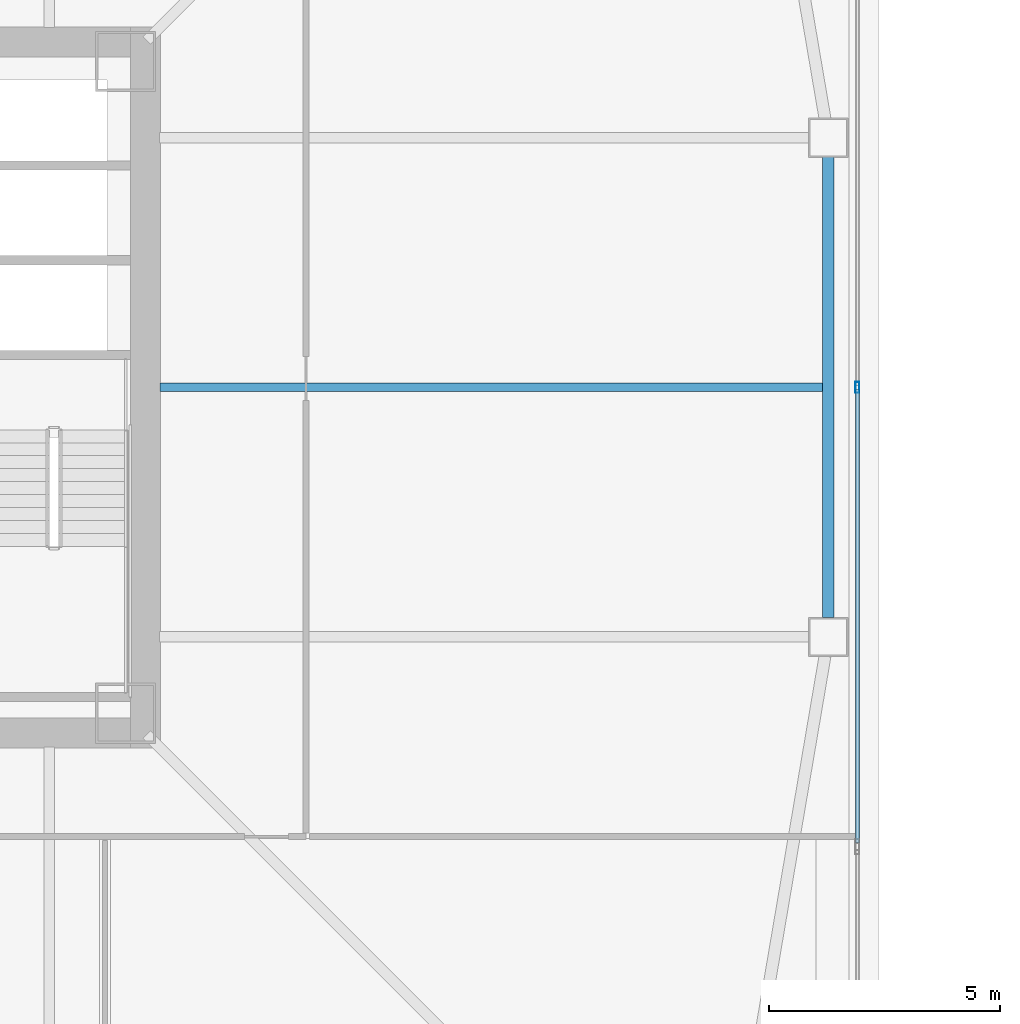
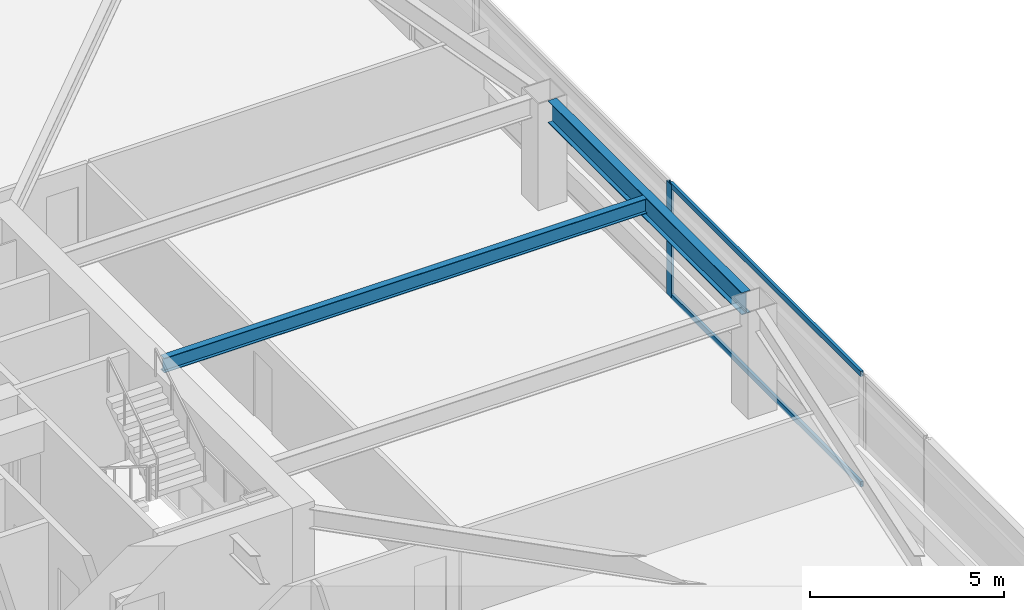
# One storey, part 11 of 48: 3 members, 2 beams, 1 element without a shape of its own.
"""IFC4 building model written with IfcOpenShell, lengths in metres."""

from ifc_helpers import new_model, si_unit, direction, frame, origin, origin_2d, place, context, subcontext, project, spatial, hollow_rectangle, i_section, extrude, material, material_profile, profile_set, type_object, element, aggregate, save


model = new_model("IFC4")

# Units and contexts
model_context = context("Model", 3, precision=1e-05, world=origin(), true_north=direction((0.0, 1.0)))
body_context = subcontext(model_context, "Body", "Model", "MODEL_VIEW")
ifc_project = project(units=[si_unit("LENGTHUNIT", "METRE"), si_unit("AREAUNIT", "SQUARE_METRE"), si_unit("VOLUMEUNIT", "CUBIC_METRE"), si_unit("PLANEANGLEUNIT", "RADIAN"), si_unit("MASSUNIT", "GRAM", prefix="KILO")], contexts=[model_context])

# Site, building, storey
site_placement = place(None, origin())
site = spatial("IfcSite", under=ifc_project, at=site_placement, CompositionType="ELEMENT")
building_placement = place(site_placement, origin())
building = spatial("IfcBuilding", under=site, at=building_placement, Name="Tashvorn Skyway Center", CompositionType="ELEMENT")
storey_placement = place(building_placement, frame((0.0, 0.0, 56.550048828125)))
storey = spatial("IfcBuildingStorey", under=building, at=storey_placement, Name="L14", CompositionType="ELEMENT", Elevation=56.550048828125)

# Beams
ifc_material_1 = material(Name="Steel ASTM A992 Grade 50", Category="steel")
ifc_material_profile_1 = material_profile(ifc_material_1, i_section(OverallWidth=0.19091796875, OverallDepth=0.4599609375, WebThickness=0.010009765625, FlangeThickness=0.01611328125, at=origin_2d()), Name="W18X55")
ifc_profile_set_1 = profile_set([ifc_material_profile_1], Name="Steel ASTM A992 Grade 50")
beam_type_1 = type_object("IfcBeamType", Name="BM-JOIST-W18X55", PredefinedType="JOIST", material=ifc_profile_set_1)
beam_1_placement = place(storey_placement, frame((49.7900390625, 32.0, 3.119873046875), z_axis=(1.0, 0.0, 0.0), x_axis=(0.0, 1.0, 0.0)))
element("IfcBeam", 1, at=beam_1_placement, inside=storey, type_object=beam_type_1, Name="Tower 1 L14 Secondary Composite Joist JE", PredefinedType="JOIST", context=body_context, shape_type="SweptSolid", body=[
    extrude(i_section(OverallWidth=0.19091796875, OverallDepth=0.4599609375, WebThickness=0.010009765625, FlangeThickness=0.01611328125, at=origin_2d()), origin(), (0.0, 0.0, 1.0), 14.33984375),
])
ifc_material_profile_2 = material_profile(ifc_material_1, i_section(OverallWidth=0.256103515625, OverallDepth=0.693115234375, WebThickness=0.014404296875, FlangeThickness=0.023681640625, at=origin_2d()), Name="W27X114")
ifc_profile_set_2 = profile_set([ifc_material_profile_2], Name="Steel ASTM A992 Grade 50")
beam_type_2 = type_object("IfcBeamType", Name="BM-SPANDREL-W27X114", PredefinedType="SPANDREL", material=ifc_profile_set_2)
beam_2_placement = place(storey_placement, frame((64.25, 27.02001953125, 3.00341796875), z_axis=(0.0, 1.0, 0.0), x_axis=(-1.0, 0.0, 0.0)))
element("IfcBeam", 2, at=beam_2_placement, inside=storey, type_object=beam_type_2, Name="Tower 1 L14 Spandrel Beam 05", PredefinedType="SPANDREL", context=body_context, shape_type="SweptSolid", body=[
    extrude(i_section(OverallWidth=0.256103515625, OverallDepth=0.693115234375, WebThickness=0.014404296875, FlangeThickness=0.023681640625, at=origin_2d()), origin(), (0.0, 0.0, 1.0), 9.9599609375),
])

# Curtain wall, members
ifc_material_2 = material(Name="Thermally broken bronze-anodized aluminium 6063-T6", Category="aluminium")
curtain_wall_type = type_object("IfcCurtainWallType", Name="CW-CW-Z1", PredefinedType="NOTDEFINED", material=ifc_material_2)
curtain_wall_placement = place(storey_placement, origin())
curtain_wall = element("IfcCurtainWall", 3, at=curtain_wall_placement, inside=storey, type_object=curtain_wall_type, Name="Tower 1 L14 East Unitised Curtain Wall Glazing Group 2", PredefinedType="NOTDEFINED")
ifc_material_profile_3 = material_profile(ifc_material_2, hollow_rectangle(XDim=0.0849609375, YDim=0.239990234375, WallThickness=0.0048828125, at=origin_2d()), Name="ALU-MULL-85x240")
ifc_profile_set_3 = profile_set([ifc_material_profile_3], Name="Thermally broken bronze-anodized aluminium 6063-T6")
member_type_1 = type_object("IfcMemberType", Name="CWM-CW-Z1", PredefinedType="MULLION", material=ifc_profile_set_3)
member_1_placement = place(storey_placement, frame((64.8798828125, 32.0, 0.0), z_axis=(0.0, 0.0, 1.0), x_axis=(1.0, 0.0, 0.0)))
member_1 = element("IfcMember", 4, at=member_1_placement, type_object=member_type_1, Name="CW-Z1 mullion 2", PredefinedType="MULLION", context=body_context, shape_type="SweptSolid", body=[
    extrude(hollow_rectangle(XDim=0.0849609375, YDim=0.239990234375, WallThickness=0.0048828125, at=origin_2d()), origin(), (0.0, 0.0, 1.0), 3.550048828125),
])
ifc_material_profile_4 = material_profile(ifc_material_2, hollow_rectangle(XDim=0.0849609375, YDim=0.1650390625, WallThickness=0.0048828125, at=origin_2d()), Name="ALU-TRAN-85x165")
ifc_profile_set_4 = profile_set([ifc_material_profile_4], Name="Thermally broken bronze-anodized aluminium 6063-T6")
member_type_2 = type_object("IfcMemberType", Name="CWT-CW-Z1", PredefinedType="USERDEFINED", material=ifc_profile_set_4)
member_2_placement = place(storey_placement, frame((64.8798828125, 31.95751953125, 0.04248046875), z_axis=(0.0, -1.0, 0.0), x_axis=(1.0, 0.0, 0.0)))
member_2 = element("IfcMember", 5, at=member_2_placement, type_object=member_type_2, Name="CW-Z1 transom 2.1", ObjectType="TRANSOM", PredefinedType="USERDEFINED", context=body_context, shape_type="SweptSolid", body=[
    extrude(hollow_rectangle(XDim=0.0849609375, YDim=0.1650390625, WallThickness=0.0048828125, at=origin_2d()), origin(), (0.0, 0.0, 1.0), 9.8125),
])
member_3_placement = place(storey_placement, frame((64.8798828125, 31.95751953125, 3.507568359375), z_axis=(0.0, -1.0, 0.0), x_axis=(1.0, 0.0, 0.0)))
member_3 = element("IfcMember", 6, at=member_3_placement, type_object=member_type_2, Name="CW-Z1 transom 2.2", ObjectType="TRANSOM", PredefinedType="USERDEFINED", context=body_context, shape_type="SweptSolid", body=[
    extrude(hollow_rectangle(XDim=0.0849609375, YDim=0.1650390625, WallThickness=0.0048828125, at=origin_2d()), origin(), (0.0, 0.0, 1.0), 9.8125),
])
aggregate(curtain_wall, [member_1, member_2, member_3])

save(model, "model.ifc")
